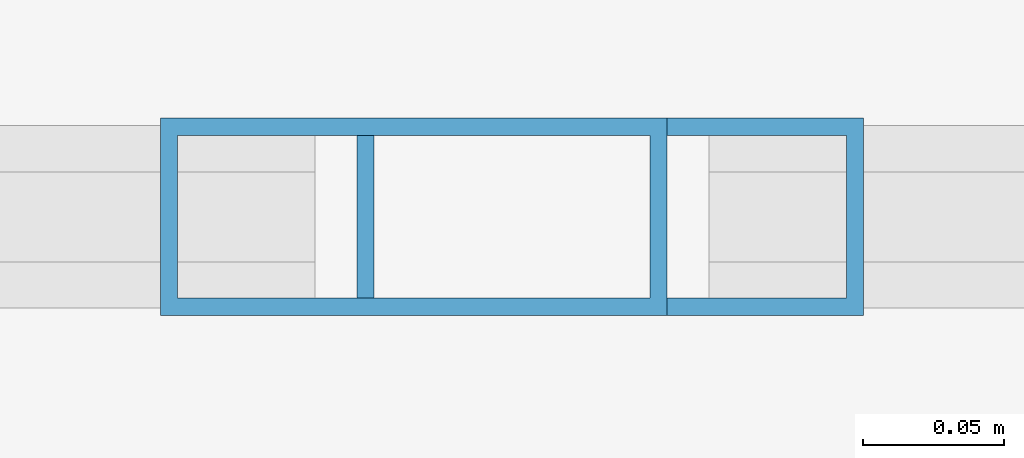
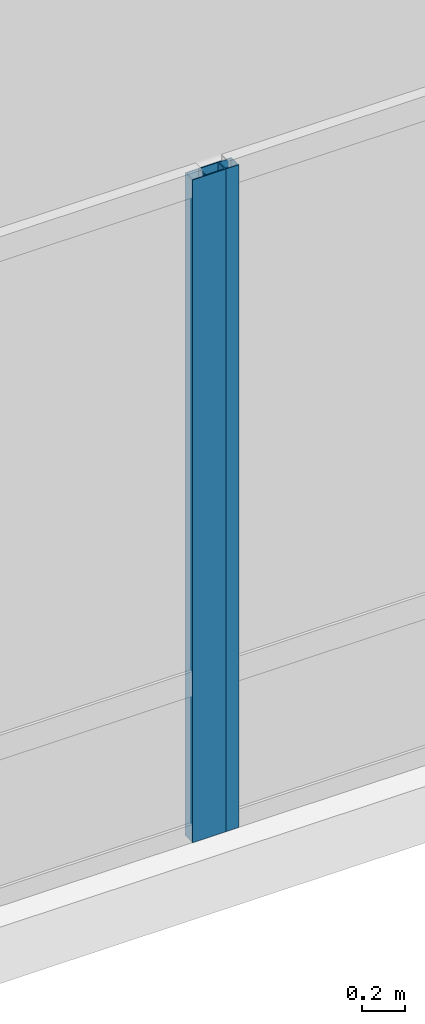
# One storey, part 4 of 17: 2 members, 2 elements without a shape of their own.
"""IFC4 building model written with IfcOpenShell, lengths in metres."""

from ifc_helpers import new_model, si_unit, direction, frame, origin, origin_2d, place, context, subcontext, project, spatial, hollow_rectangle, extrude, material, layer, layer_set, material_profile, profile_set, type_object, element, aggregate, save


model = new_model("IFC4")

# Units and contexts
model_context = context("Model", 3, precision=1e-05, world=origin(), true_north=direction((0.0, 1.0)))
body_context = subcontext(model_context, "Body", "Model", "MODEL_VIEW")
ifc_project = project(units=[si_unit("LENGTHUNIT", "METRE"), si_unit("AREAUNIT", "SQUARE_METRE"), si_unit("VOLUMEUNIT", "CUBIC_METRE"), si_unit("PLANEANGLEUNIT", "RADIAN"), si_unit("MASSUNIT", "GRAM", prefix="KILO"), si_unit("THERMODYNAMICTEMPERATUREUNIT", "KELVIN"), si_unit("POWERUNIT", "WATT")], contexts=[model_context])

# Site, building, storey
site_placement = place(None, origin())
site = spatial("IfcSite", under=ifc_project, at=site_placement, CompositionType="ELEMENT")
building_placement = place(site_placement, origin())
building = spatial("IfcBuilding", under=site, at=building_placement, Name="Ocrelia Relay Tower", CompositionType="ELEMENT")
storey_placement = place(building_placement, frame((0.0, 0.0, 15.60009765625)))
storey = spatial("IfcBuildingStorey", under=building, at=storey_placement, Name="L03", CompositionType="ELEMENT", Elevation=15.60009765625)

# Curtain wall, member
ifc_material_1 = material(Name="Aluminium and solar-control low-E glass", Category="aluminium")
ifc_layer = layer(ifc_material_1, 0.179931640625, Name="Aluminium and solar-control low-E glass")
ifc_layer_set = layer_set([ifc_layer], Name="Aluminium and solar-control low-E glass")
curtain_wall_type = type_object("IfcCurtainWallType", Name="CW-SYS-POD-GALL", PredefinedType="NOTDEFINED", material=ifc_layer_set)
curtain_wall_1_placement = place(storey_placement, origin())
curtain_wall_1 = element("IfcCurtainWall", 1, at=curtain_wall_1_placement, inside=storey, type_object=curtain_wall_type, Name="L03 South Over-Arch Curtain Wall West", PredefinedType="NOTDEFINED")
ifc_material_2 = material(Name="Anodised bronze aluminium", Category="aluminium")
ifc_material_profile = material_profile(ifc_material_2, hollow_rectangle(XDim=0.070068359375, YDim=0.179931640625, WallThickness=0.006103515625, at=origin_2d()), Name="CW-MUL-180x70")
ifc_profile_set = profile_set([ifc_material_profile], Name="Anodised bronze aluminium")
member_type = type_object("IfcMemberType", Name="CW-SYS-POD-GALL-MUL", PredefinedType="MULLION", material=ifc_profile_set)
member_1_placement = place(storey_placement, frame((33.965087890625, 0.179931640625, 0.0), z_axis=(0.0, 0.0, 1.0), x_axis=(0.0, 1.0, 0.0)))
member_1 = element("IfcMember", 2, at=member_1_placement, type_object=member_type, Name="CW-PG mullion 4", PredefinedType="MULLION", context=body_context, shape_type="SweptSolid", body=[
    extrude(hollow_rectangle(XDim=0.070068359375, YDim=0.179931640625, WallThickness=0.006103515625, at=origin_2d()), origin(), (0.0, 0.0, 1.0), 3.760009765625),
])
aggregate(curtain_wall_1, [member_1])

curtain_wall_2_placement = place(storey_placement, origin())
curtain_wall_2 = element("IfcCurtainWall", 3, at=curtain_wall_2_placement, inside=storey, type_object=curtain_wall_type, Name="L03 South Over-Arch Curtain Wall East", PredefinedType="NOTDEFINED")
member_2_placement = place(storey_placement, frame((34.034912109375, 0.179931640625, 0.0), z_axis=(0.0, 0.0, 1.0), x_axis=(0.0, 1.0, 0.0)))
member_2 = element("IfcMember", 4, at=member_2_placement, type_object=member_type, Name="CW-PG mullion 1", PredefinedType="MULLION", context=body_context, shape_type="SweptSolid", body=[
    extrude(hollow_rectangle(XDim=0.070068359375, YDim=0.179931640625, WallThickness=0.006103515625, at=origin_2d()), origin(), (0.0, 0.0, 1.0), 3.760009765625),
])
aggregate(curtain_wall_2, [member_2])

save(model, "model.ifc")
